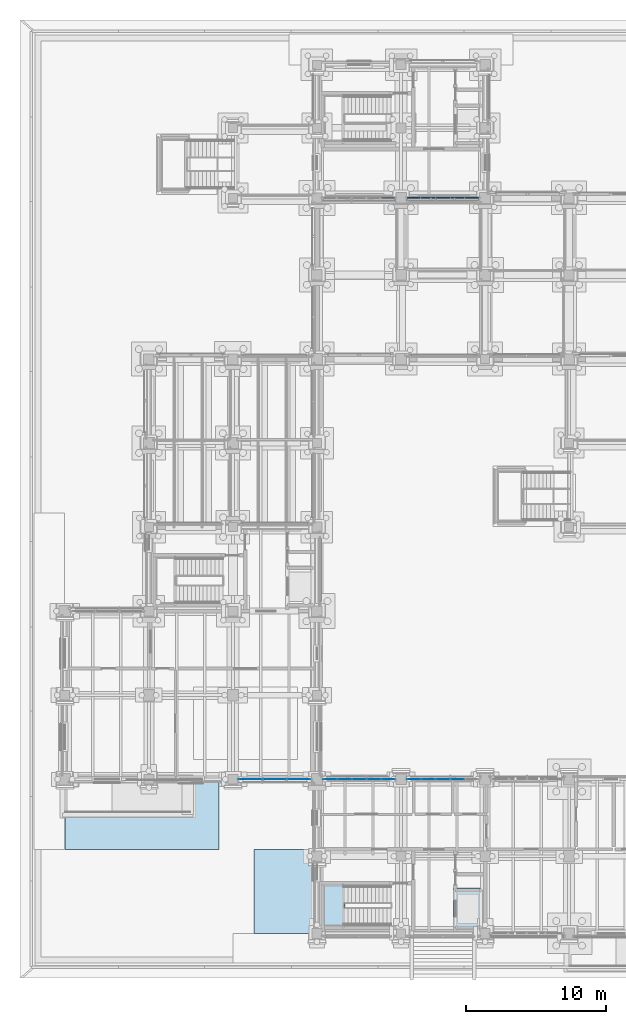
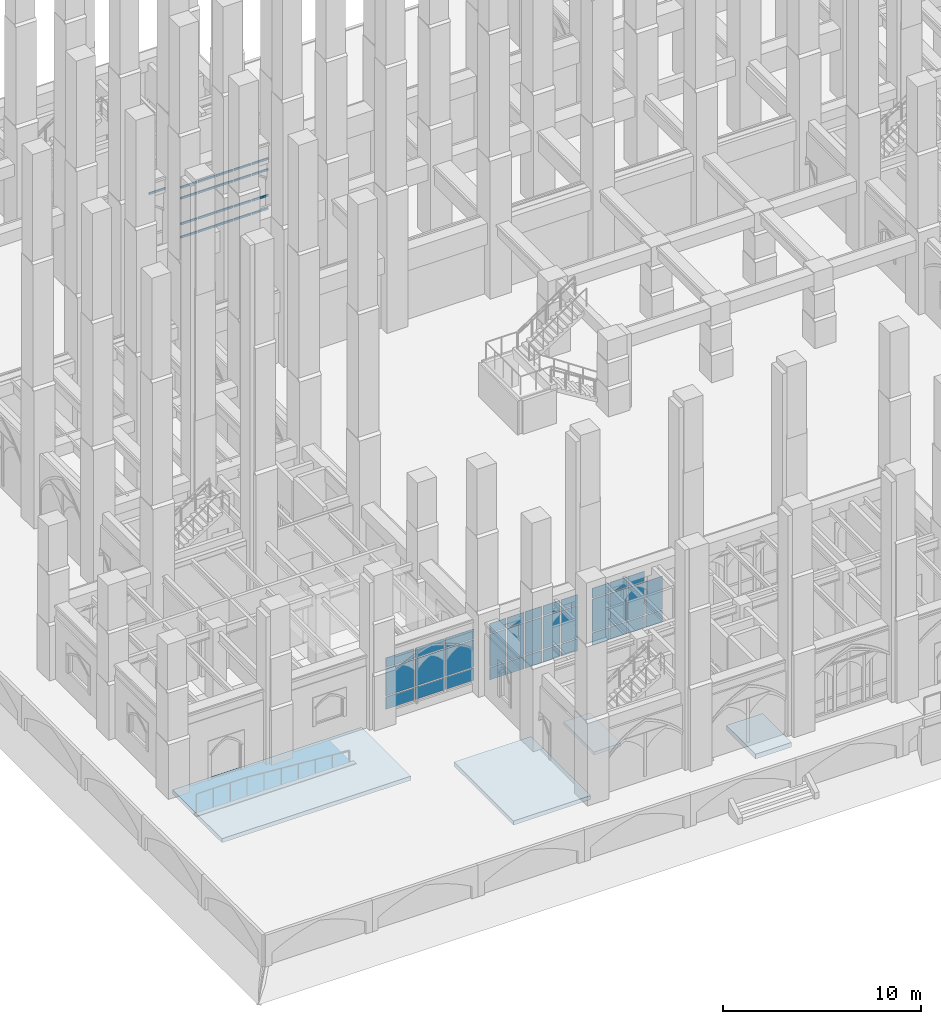
# One storey, part 50 of 135: 35 plates, 21 members, 4 slabs, 6 elements without a shape of their own.
"""IFC4 building model written with IfcOpenShell, lengths in metres."""

from ifc_helpers import new_model, si_unit, direction, frame, origin, origin_2d, place, context, subcontext, project, spatial, polyline, rectangle, hollow_rectangle, outline, extrude, material, layer, layer_set, material_profile, profile_set, type_object, element, aggregate, save


model = new_model("IFC4")

# Units and contexts
model_context = context("Model", 3, precision=1e-05, world=origin(), true_north=direction((0.0, 1.0)))
body_context = subcontext(model_context, "Body", "Model", "MODEL_VIEW")
ifc_project = project(units=[si_unit("LENGTHUNIT", "METRE"), si_unit("AREAUNIT", "SQUARE_METRE"), si_unit("VOLUMEUNIT", "CUBIC_METRE"), si_unit("PLANEANGLEUNIT", "RADIAN"), si_unit("MASSUNIT", "GRAM", prefix="KILO")], contexts=[model_context])

# Site, building, storey
site_placement = place(None, origin())
site = spatial("IfcSite", under=ifc_project, at=site_placement, CompositionType="ELEMENT")
building_placement = place(site_placement, origin())
building = spatial("IfcBuilding", under=site, at=building_placement, Name="Cumevento Cable Car Station", CompositionType="ELEMENT")
storey_placement = place(building_placement, origin())
storey = spatial("IfcBuildingStorey", under=building, at=storey_placement, Name="L01", CompositionType="ELEMENT", Elevation=0.0)

# Curtain wall, member
ifc_material_1 = material(Name="Anodised Bronze Aluminium AW-6063-T6", Category="aluminium")
ifc_layer_1 = layer(ifc_material_1, 0.159912109375)
ifc_layer_set_1 = layer_set([ifc_layer_1], Name="Anodised Bronze Aluminium AW-6063-T6")
curtain_wall_type_1 = type_object("IfcCurtainWallType", Name="Lancet Curtain Wall CW-01 1050", PredefinedType="NOTDEFINED", material=ifc_layer_set_1)
curtain_wall_1_placement = place(storey_placement, origin())
curtain_wall_1 = element("IfcCurtainWall", 1, at=curtain_wall_1_placement, inside=storey, type_object=curtain_wall_type_1, Name="Lancet Curtain Wall CW-01 L01 #16", PredefinedType="NOTDEFINED")
ifc_material_2 = material(Name="Anodised Bronze Aluminium AW-6063-T6", Category="aluminium")
ifc_material_profile = material_profile(ifc_material_2, hollow_rectangle(XDim=0.06494140625, YDim=0.1201171875, WallThickness=0.00390625, at=origin_2d()), Name="ALUT65x120x4")
ifc_profile_set = profile_set([ifc_material_profile], Name="Anodised Bronze Aluminium AW-6063-T6")
member_type = type_object("IfcMemberType", Name="Curtain Transom CWT-01 ALUT65x120x4", PredefinedType="USERDEFINED", material=ifc_profile_set)
member_1_placement = place(storey_placement, frame((27.56005859375, 56.5, 3.5673828125), z_axis=(-1.0, 0.0, 0.0), x_axis=(0.0, -1.0, 0.0)))
member_1 = element("IfcMember", 2, at=member_1_placement, type_object=member_type, Name="CW-01 transom 1.4", ObjectType="TRANSOM", PredefinedType="USERDEFINED", context=body_context, shape_type="SweptSolid", body=[
    extrude(hollow_rectangle(XDim=0.06494140625, YDim=0.1201171875, WallThickness=0.00390625, at=origin_2d()), origin(), (0.0, 0.0, 1.0), 0.95751953125),
])
aggregate(curtain_wall_1, [member_1])

# Curtain wall, members
ifc_material_3 = material(Name="Anodised Bronze Aluminium AW-6063-T6", Category="aluminium")
ifc_layer_2 = layer(ifc_material_3, 0.166015625)
ifc_layer_set_2 = layer_set([ifc_layer_2], Name="Anodised Bronze Aluminium AW-6063-T6")
curtain_wall_type_2 = type_object("IfcCurtainWallType", Name="Lancet Curtain Wall CW-02 1090", PredefinedType="NOTDEFINED", material=ifc_layer_set_2)
curtain_wall_2_placement = place(storey_placement, origin())
curtain_wall_2 = element("IfcCurtainWall", 3, at=curtain_wall_2_placement, inside=storey, type_object=curtain_wall_type_2, Name="Lancet Curtain Wall CW-02 L01 #17", PredefinedType="NOTDEFINED")
member_2_placement = place(storey_placement, frame((33.534912109375, 56.5, 0.242431640625), z_axis=(-1.0, 0.0, 0.0), x_axis=(0.0, -1.0, 0.0)))
member_2 = element("IfcMember", 4, at=member_2_placement, type_object=member_type, Name="CW-02 transom 1.1", ObjectType="TRANSOM", PredefinedType="USERDEFINED", context=body_context, shape_type="SweptSolid", body=[
    extrude(hollow_rectangle(XDim=0.06494140625, YDim=0.1201171875, WallThickness=0.00390625, at=origin_2d()), origin(), (0.0, 0.0, 1.0), 0.947509765625),
])
member_3_placement = place(storey_placement, frame((33.534912109375, 56.5, 1.06005859375), z_axis=(-1.0, 0.0, 0.0), x_axis=(0.0, -1.0, 0.0)))
member_3 = element("IfcMember", 5, at=member_3_placement, type_object=member_type, Name="CW-02 transom 1.2", ObjectType="TRANSOM", PredefinedType="USERDEFINED", context=body_context, shape_type="SweptSolid", body=[
    extrude(hollow_rectangle(XDim=0.06494140625, YDim=0.1201171875, WallThickness=0.00390625, at=origin_2d()), origin(), (0.0, 0.0, 1.0), 0.947509765625),
])
member_4_placement = place(storey_placement, frame((33.534912109375, 56.5, 2.637939453125), z_axis=(-1.0, 0.0, 0.0), x_axis=(0.0, -1.0, 0.0)))
member_4 = element("IfcMember", 6, at=member_4_placement, type_object=member_type, Name="CW-02 transom 1.3", ObjectType="TRANSOM", PredefinedType="USERDEFINED", context=body_context, shape_type="SweptSolid", body=[
    extrude(hollow_rectangle(XDim=0.06494140625, YDim=0.1201171875, WallThickness=0.00390625, at=origin_2d()), origin(), (0.0, 0.0, 1.0), 0.947509765625),
])
member_5_placement = place(storey_placement, frame((33.534912109375, 56.5, 3.305419921875), z_axis=(-1.0, 0.0, 0.0), x_axis=(0.0, -1.0, 0.0)))
member_5 = element("IfcMember", 7, at=member_5_placement, type_object=member_type, Name="CW-02 transom 1.4", ObjectType="TRANSOM", PredefinedType="USERDEFINED", context=body_context, shape_type="SweptSolid", body=[
    extrude(hollow_rectangle(XDim=0.06494140625, YDim=0.1201171875, WallThickness=0.00390625, at=origin_2d()), origin(), (0.0, 0.0, 1.0), 0.947509765625),
])
member_6_placement = place(storey_placement, frame((32.5224609375, 56.5, 0.242431640625), z_axis=(-1.0, 0.0, 0.0), x_axis=(0.0, -1.0, 0.0)))
member_6 = element("IfcMember", 8, at=member_6_placement, type_object=member_type, Name="CW-02 transom 2.1", ObjectType="TRANSOM", PredefinedType="USERDEFINED", context=body_context, shape_type="SweptSolid", body=[
    extrude(hollow_rectangle(XDim=0.06494140625, YDim=0.1201171875, WallThickness=0.00390625, at=origin_2d()), origin(), (0.0, 0.0, 1.0), 0.97998046875),
])
member_7_placement = place(storey_placement, frame((32.5224609375, 56.5, 1.06005859375), z_axis=(-1.0, 0.0, 0.0), x_axis=(0.0, -1.0, 0.0)))
member_7 = element("IfcMember", 9, at=member_7_placement, type_object=member_type, Name="CW-02 transom 2.2", ObjectType="TRANSOM", PredefinedType="USERDEFINED", context=body_context, shape_type="SweptSolid", body=[
    extrude(hollow_rectangle(XDim=0.06494140625, YDim=0.1201171875, WallThickness=0.00390625, at=origin_2d()), origin(), (0.0, 0.0, 1.0), 0.97998046875),
])
member_8_placement = place(storey_placement, frame((32.5224609375, 56.5, 2.637939453125), z_axis=(-1.0, 0.0, 0.0), x_axis=(0.0, -1.0, 0.0)))
member_8 = element("IfcMember", 10, at=member_8_placement, type_object=member_type, Name="CW-02 transom 2.3", ObjectType="TRANSOM", PredefinedType="USERDEFINED", context=body_context, shape_type="SweptSolid", body=[
    extrude(hollow_rectangle(XDim=0.06494140625, YDim=0.1201171875, WallThickness=0.00390625, at=origin_2d()), origin(), (0.0, 0.0, 1.0), 0.97998046875),
])
member_9_placement = place(storey_placement, frame((32.5224609375, 56.5, 3.305419921875), z_axis=(-1.0, 0.0, 0.0), x_axis=(0.0, -1.0, 0.0)))
member_9 = element("IfcMember", 11, at=member_9_placement, type_object=member_type, Name="CW-02 transom 2.4", ObjectType="TRANSOM", PredefinedType="USERDEFINED", context=body_context, shape_type="SweptSolid", body=[
    extrude(hollow_rectangle(XDim=0.06494140625, YDim=0.1201171875, WallThickness=0.00390625, at=origin_2d()), origin(), (0.0, 0.0, 1.0), 0.97998046875),
])
member_10_placement = place(storey_placement, frame((31.4775390625, 56.5, 0.242431640625), z_axis=(-1.0, 0.0, 0.0), x_axis=(0.0, -1.0, 0.0)))
member_10 = element("IfcMember", 12, at=member_10_placement, type_object=member_type, Name="CW-02 transom 3.1", ObjectType="TRANSOM", PredefinedType="USERDEFINED", context=body_context, shape_type="SweptSolid", body=[
    extrude(hollow_rectangle(XDim=0.06494140625, YDim=0.1201171875, WallThickness=0.00390625, at=origin_2d()), origin(), (0.0, 0.0, 1.0), 0.97998046875),
])
member_11_placement = place(storey_placement, frame((31.4775390625, 56.5, 1.06005859375), z_axis=(-1.0, 0.0, 0.0), x_axis=(0.0, -1.0, 0.0)))
member_11 = element("IfcMember", 13, at=member_11_placement, type_object=member_type, Name="CW-02 transom 3.2", ObjectType="TRANSOM", PredefinedType="USERDEFINED", context=body_context, shape_type="SweptSolid", body=[
    extrude(hollow_rectangle(XDim=0.06494140625, YDim=0.1201171875, WallThickness=0.00390625, at=origin_2d()), origin(), (0.0, 0.0, 1.0), 0.97998046875),
])
member_12_placement = place(storey_placement, frame((31.4775390625, 56.5, 2.637939453125), z_axis=(-1.0, 0.0, 0.0), x_axis=(0.0, -1.0, 0.0)))
member_12 = element("IfcMember", 14, at=member_12_placement, type_object=member_type, Name="CW-02 transom 3.3", ObjectType="TRANSOM", PredefinedType="USERDEFINED", context=body_context, shape_type="SweptSolid", body=[
    extrude(hollow_rectangle(XDim=0.06494140625, YDim=0.1201171875, WallThickness=0.00390625, at=origin_2d()), origin(), (0.0, 0.0, 1.0), 0.97998046875),
])
member_13_placement = place(storey_placement, frame((31.4775390625, 56.5, 3.305419921875), z_axis=(-1.0, 0.0, 0.0), x_axis=(0.0, -1.0, 0.0)))
member_13 = element("IfcMember", 15, at=member_13_placement, type_object=member_type, Name="CW-02 transom 3.4", ObjectType="TRANSOM", PredefinedType="USERDEFINED", context=body_context, shape_type="SweptSolid", body=[
    extrude(hollow_rectangle(XDim=0.06494140625, YDim=0.1201171875, WallThickness=0.00390625, at=origin_2d()), origin(), (0.0, 0.0, 1.0), 0.97998046875),
])
member_14_placement = place(storey_placement, frame((30.4326171875, 56.5, 0.242431640625), z_axis=(-1.0, 0.0, 0.0), x_axis=(0.0, -1.0, 0.0)))
member_14 = element("IfcMember", 16, at=member_14_placement, type_object=member_type, Name="CW-02 transom 4.1", ObjectType="TRANSOM", PredefinedType="USERDEFINED", context=body_context, shape_type="SweptSolid", body=[
    extrude(hollow_rectangle(XDim=0.06494140625, YDim=0.1201171875, WallThickness=0.00390625, at=origin_2d()), origin(), (0.0, 0.0, 1.0), 0.980224609375),
])
member_15_placement = place(storey_placement, frame((30.4326171875, 56.5, 1.06005859375), z_axis=(-1.0, 0.0, 0.0), x_axis=(0.0, -1.0, 0.0)))
member_15 = element("IfcMember", 17, at=member_15_placement, type_object=member_type, Name="CW-02 transom 4.2", ObjectType="TRANSOM", PredefinedType="USERDEFINED", context=body_context, shape_type="SweptSolid", body=[
    extrude(hollow_rectangle(XDim=0.06494140625, YDim=0.1201171875, WallThickness=0.00390625, at=origin_2d()), origin(), (0.0, 0.0, 1.0), 0.980224609375),
])
member_16_placement = place(storey_placement, frame((30.4326171875, 56.5, 2.637939453125), z_axis=(-1.0, 0.0, 0.0), x_axis=(0.0, -1.0, 0.0)))
member_16 = element("IfcMember", 18, at=member_16_placement, type_object=member_type, Name="CW-02 transom 4.3", ObjectType="TRANSOM", PredefinedType="USERDEFINED", context=body_context, shape_type="SweptSolid", body=[
    extrude(hollow_rectangle(XDim=0.06494140625, YDim=0.1201171875, WallThickness=0.00390625, at=origin_2d()), origin(), (0.0, 0.0, 1.0), 0.980224609375),
])
member_17_placement = place(storey_placement, frame((30.4326171875, 56.5, 3.305419921875), z_axis=(-1.0, 0.0, 0.0), x_axis=(0.0, -1.0, 0.0)))
member_17 = element("IfcMember", 19, at=member_17_placement, type_object=member_type, Name="CW-02 transom 4.4", ObjectType="TRANSOM", PredefinedType="USERDEFINED", context=body_context, shape_type="SweptSolid", body=[
    extrude(hollow_rectangle(XDim=0.06494140625, YDim=0.1201171875, WallThickness=0.00390625, at=origin_2d()), origin(), (0.0, 0.0, 1.0), 0.980224609375),
])
member_18_placement = place(storey_placement, frame((29.387451171875, 56.5, 0.242431640625), z_axis=(-1.0, 0.0, 0.0), x_axis=(0.0, -1.0, 0.0)))
member_18 = element("IfcMember", 20, at=member_18_placement, type_object=member_type, Name="CW-02 transom 5.1", ObjectType="TRANSOM", PredefinedType="USERDEFINED", context=body_context, shape_type="SweptSolid", body=[
    extrude(hollow_rectangle(XDim=0.06494140625, YDim=0.1201171875, WallThickness=0.00390625, at=origin_2d()), origin(), (0.0, 0.0, 1.0), 0.947509765625),
])
member_19_placement = place(storey_placement, frame((29.387451171875, 56.5, 1.06005859375), z_axis=(-1.0, 0.0, 0.0), x_axis=(0.0, -1.0, 0.0)))
member_19 = element("IfcMember", 21, at=member_19_placement, type_object=member_type, Name="CW-02 transom 5.2", ObjectType="TRANSOM", PredefinedType="USERDEFINED", context=body_context, shape_type="SweptSolid", body=[
    extrude(hollow_rectangle(XDim=0.06494140625, YDim=0.1201171875, WallThickness=0.00390625, at=origin_2d()), origin(), (0.0, 0.0, 1.0), 0.947509765625),
])
member_20_placement = place(storey_placement, frame((29.387451171875, 56.5, 2.637939453125), z_axis=(-1.0, 0.0, 0.0), x_axis=(0.0, -1.0, 0.0)))
member_20 = element("IfcMember", 22, at=member_20_placement, type_object=member_type, Name="CW-02 transom 5.3", ObjectType="TRANSOM", PredefinedType="USERDEFINED", context=body_context, shape_type="SweptSolid", body=[
    extrude(hollow_rectangle(XDim=0.06494140625, YDim=0.1201171875, WallThickness=0.00390625, at=origin_2d()), origin(), (0.0, 0.0, 1.0), 0.947509765625),
])
member_21_placement = place(storey_placement, frame((29.387451171875, 56.5, 3.305419921875), z_axis=(-1.0, 0.0, 0.0), x_axis=(0.0, -1.0, 0.0)))
member_21 = element("IfcMember", 23, at=member_21_placement, type_object=member_type, Name="CW-02 transom 5.4", ObjectType="TRANSOM", PredefinedType="USERDEFINED", context=body_context, shape_type="SweptSolid", body=[
    extrude(hollow_rectangle(XDim=0.06494140625, YDim=0.1201171875, WallThickness=0.00390625, at=origin_2d()), origin(), (0.0, 0.0, 1.0), 0.947509765625),
])
aggregate(curtain_wall_2, [member_2, member_3, member_4, member_5, member_6, member_7, member_8, member_9, member_10, member_11, member_12, member_13, member_14, member_15, member_16, member_17, member_18, member_19, member_20, member_21])

# Slabs
ifc_material_4 = material(Name="Concrete C40/50", Category="concrete")
ifc_layer_3 = layer(ifc_material_4, 0.2900390625)
ifc_layer_set_3 = layer_set([ifc_layer_3], Name="Concrete C40/50")
slab_type_1 = type_object("IfcSlabType", Name="Concrete Deck BS-290 290", PredefinedType="BASESLAB", material=ifc_layer_set_3)
slab_1_placement = place(storey_placement, frame((0.0, 0.0, -1.340087890625)))
element("IfcSlab", 24, at=slab_1_placement, inside=storey, type_object=slab_type_1, Name="Lift Pit Base Slab LF-02", PredefinedType="BASESLAB", context=body_context, shape_type="SweptSolid", body=[
    extrude(outline(polyline([(31.739990234375, 4.280029296875), (33.840087890625, 4.280029296875), (33.840087890625, 7.219970703125), (31.739990234375, 7.219970703125), (31.739990234375, 4.280029296875)])), origin(), (0.0, 0.0, 1.0), 0.2900390625),
])
ifc_material_5 = material(Name="Concrete C40/50", Category="concrete")
ifc_layer_4 = layer(ifc_material_5, 0.25)
ifc_layer_set_4 = layer_set([ifc_layer_4], Name="Concrete C40/50")
slab_type_2 = type_object("IfcSlabType", Name="Exterior Apron Slab AP-250", PredefinedType="BASESLAB", material=ifc_layer_set_4)
slab_2_placement = place(storey_placement, frame((0.0, 0.0, -0.25)))
element("IfcSlab", 25, at=slab_2_placement, inside=storey, type_object=slab_type_2, Name="Exterior Paved Apron apron_W_south #1", PredefinedType="BASESLAB", context=body_context, shape_type="SweptSolid", body=[
    extrude(outline(polyline([(4.0, 10.0), (4.0, 14.97998046875), (15.0, 14.97998046875), (15.0, 10.0), (4.0, 10.0)])), origin(), (0.0, 0.0, 1.0), 0.25),
])
slab_3_placement = place(storey_placement, frame((0.0, 0.0, -0.25)))
element("IfcSlab", 26, at=slab_3_placement, inside=storey, type_object=slab_type_2, Name="Exterior Paved Apron apron_C2_west #1", PredefinedType="BASESLAB", context=body_context, shape_type="SweptSolid", body=[
    extrude(outline(polyline([(17.5, 4.0), (17.5, 10.0), (21.989990234375, 10.0), (21.989990234375, 4.0), (17.5, 4.0)])), origin(), (0.0, 0.0, 1.0), 0.25),
])

# Curtain wall, plates
curtain_wall_3_placement = place(storey_placement, origin())
curtain_wall_3 = element("IfcCurtainWall", 27, at=curtain_wall_3_placement, inside=storey, type_object=curtain_wall_type_2, Name="Lancet Curtain Wall CW-02 L01 #1", PredefinedType="NOTDEFINED")
ifc_material_6 = material(Name="Solar Control Laminated Double Glazing", Category="glass")
ifc_layer_5 = layer(ifc_material_6, 0.02587890625)
ifc_layer_set_5 = layer_set([ifc_layer_5], Name="Solar Control Laminated Double Glazing")
plate_type_1 = type_object("IfcPlateType", Name="Glazed Panel CWP-02 26", PredefinedType="CURTAIN_PANEL", material=ifc_layer_set_5)
plate_1_placement = place(storey_placement, frame((22.938720703125, 15.0, 0.275146484375), z_axis=(0.0, 0.0, 1.0), x_axis=(1.0, 0.0, 0.0)))
plate_1 = element("IfcPlate", 28, at=plate_1_placement, type_object=plate_type_1, Name="CW-02 panel 1.1", PredefinedType="CURTAIN_PANEL", context=body_context, shape_type="SweptSolid", body=[
    extrude(rectangle(XDim=0.947509765625, YDim=0.02587890625, at=origin_2d()), origin(), (0.0, 0.0, 1.0), 0.75244140625),
])
plate_2_placement = place(storey_placement, frame((22.938720703125, 15.0, 1.092529296875), z_axis=(0.0, 0.0, 1.0), x_axis=(1.0, 0.0, 0.0)))
plate_2 = element("IfcPlate", 29, at=plate_2_placement, type_object=plate_type_1, Name="CW-02 panel 1.2", PredefinedType="CURTAIN_PANEL", context=body_context, shape_type="SweptSolid", body=[
    extrude(rectangle(XDim=0.947509765625, YDim=0.02587890625, at=origin_2d()), origin(), (0.0, 0.0, 1.0), 1.98388671875),
])
plate_3_placement = place(storey_placement, frame((22.938720703125, 15.0, 3.1416015625), z_axis=(0.0, 0.0, 1.0), x_axis=(1.0, 0.0, 0.0)))
plate_3 = element("IfcPlate", 30, at=plate_3_placement, type_object=plate_type_1, Name="CW-02 panel 1.3", PredefinedType="CURTAIN_PANEL", context=body_context, shape_type="SweptSolid", body=[
    extrude(rectangle(XDim=0.947509765625, YDim=0.02587890625, at=origin_2d()), origin(), (0.0, 0.0, 1.0), 0.6025390625),
])
plate_4_placement = place(storey_placement, frame((23.967529296875, 15.0, 0.275146484375), z_axis=(0.0, 0.0, 1.0), x_axis=(1.0, 0.0, 0.0)))
plate_4 = element("IfcPlate", 31, at=plate_4_placement, type_object=plate_type_1, Name="CW-02 panel 2.1", PredefinedType="CURTAIN_PANEL", context=body_context, shape_type="SweptSolid", body=[
    extrude(rectangle(XDim=0.97998046875, YDim=0.02587890625, at=origin_2d()), origin(), (0.0, 0.0, 1.0), 0.75244140625),
])
plate_5_placement = place(storey_placement, frame((23.967529296875, 15.0, 1.092529296875), z_axis=(0.0, 0.0, 1.0), x_axis=(1.0, 0.0, 0.0)))
plate_5 = element("IfcPlate", 32, at=plate_5_placement, type_object=plate_type_1, Name="CW-02 panel 2.2", PredefinedType="CURTAIN_PANEL", context=body_context, shape_type="SweptSolid", body=[
    extrude(rectangle(XDim=0.97998046875, YDim=0.02587890625, at=origin_2d()), origin(), (0.0, 0.0, 1.0), 1.98388671875),
])
plate_6_placement = place(storey_placement, frame((23.967529296875, 15.0, 3.1416015625), z_axis=(0.0, 0.0, 1.0), x_axis=(1.0, 0.0, 0.0)))
plate_6 = element("IfcPlate", 33, at=plate_6_placement, type_object=plate_type_1, Name="CW-02 panel 2.3", PredefinedType="CURTAIN_PANEL", context=body_context, shape_type="SweptSolid", body=[
    extrude(rectangle(XDim=0.97998046875, YDim=0.02587890625, at=origin_2d()), origin(), (0.0, 0.0, 1.0), 0.6025390625),
])
plate_7_placement = place(storey_placement, frame((25.012451171875, 15.0, 0.275146484375), z_axis=(0.0, 0.0, 1.0), x_axis=(1.0, 0.0, 0.0)))
plate_7 = element("IfcPlate", 34, at=plate_7_placement, type_object=plate_type_1, Name="CW-02 panel 3.1", PredefinedType="CURTAIN_PANEL", context=body_context, shape_type="SweptSolid", body=[
    extrude(rectangle(XDim=0.97998046875, YDim=0.02587890625, at=origin_2d()), origin(), (0.0, 0.0, 1.0), 0.75244140625),
])
plate_8_placement = place(storey_placement, frame((25.012451171875, 15.0, 1.092529296875), z_axis=(0.0, 0.0, 1.0), x_axis=(1.0, 0.0, 0.0)))
plate_8 = element("IfcPlate", 35, at=plate_8_placement, type_object=plate_type_1, Name="CW-02 panel 3.2", PredefinedType="CURTAIN_PANEL", context=body_context, shape_type="SweptSolid", body=[
    extrude(rectangle(XDim=0.97998046875, YDim=0.02587890625, at=origin_2d()), origin(), (0.0, 0.0, 1.0), 1.98388671875),
])
plate_9_placement = place(storey_placement, frame((25.012451171875, 15.0, 3.1416015625), z_axis=(0.0, 0.0, 1.0), x_axis=(1.0, 0.0, 0.0)))
plate_9 = element("IfcPlate", 36, at=plate_9_placement, type_object=plate_type_1, Name="CW-02 panel 3.3", PredefinedType="CURTAIN_PANEL", context=body_context, shape_type="SweptSolid", body=[
    extrude(rectangle(XDim=0.97998046875, YDim=0.02587890625, at=origin_2d()), origin(), (0.0, 0.0, 1.0), 0.6025390625),
])
plate_10_placement = place(storey_placement, frame((26.0576171875, 15.0, 0.275146484375), z_axis=(0.0, 0.0, 1.0), x_axis=(1.0, 0.0, 0.0)))
plate_10 = element("IfcPlate", 37, at=plate_10_placement, type_object=plate_type_1, Name="CW-02 panel 4.1", PredefinedType="CURTAIN_PANEL", context=body_context, shape_type="SweptSolid", body=[
    extrude(rectangle(XDim=0.97998046875, YDim=0.02587890625, at=origin_2d()), origin(), (0.0, 0.0, 1.0), 0.75244140625),
])
plate_11_placement = place(storey_placement, frame((26.0576171875, 15.0, 1.092529296875), z_axis=(0.0, 0.0, 1.0), x_axis=(1.0, 0.0, 0.0)))
plate_11 = element("IfcPlate", 38, at=plate_11_placement, type_object=plate_type_1, Name="CW-02 panel 4.2", PredefinedType="CURTAIN_PANEL", context=body_context, shape_type="SweptSolid", body=[
    extrude(rectangle(XDim=0.97998046875, YDim=0.02587890625, at=origin_2d()), origin(), (0.0, 0.0, 1.0), 1.98388671875),
])
plate_12_placement = place(storey_placement, frame((26.0576171875, 15.0, 3.1416015625), z_axis=(0.0, 0.0, 1.0), x_axis=(1.0, 0.0, 0.0)))
plate_12 = element("IfcPlate", 39, at=plate_12_placement, type_object=plate_type_1, Name="CW-02 panel 4.3", PredefinedType="CURTAIN_PANEL", context=body_context, shape_type="SweptSolid", body=[
    extrude(rectangle(XDim=0.97998046875, YDim=0.02587890625, at=origin_2d()), origin(), (0.0, 0.0, 1.0), 0.6025390625),
])
plate_13_placement = place(storey_placement, frame((27.086181640625, 15.0, 0.275146484375), z_axis=(0.0, 0.0, 1.0), x_axis=(1.0, 0.0, 0.0)))
plate_13 = element("IfcPlate", 40, at=plate_13_placement, type_object=plate_type_1, Name="CW-02 panel 5.1", PredefinedType="CURTAIN_PANEL", context=body_context, shape_type="SweptSolid", body=[
    extrude(rectangle(XDim=0.947509765625, YDim=0.02587890625, at=origin_2d()), origin(), (0.0, 0.0, 1.0), 0.75244140625),
])
plate_14_placement = place(storey_placement, frame((27.086181640625, 15.0, 1.092529296875), z_axis=(0.0, 0.0, 1.0), x_axis=(1.0, 0.0, 0.0)))
plate_14 = element("IfcPlate", 41, at=plate_14_placement, type_object=plate_type_1, Name="CW-02 panel 5.2", PredefinedType="CURTAIN_PANEL", context=body_context, shape_type="SweptSolid", body=[
    extrude(rectangle(XDim=0.947509765625, YDim=0.02587890625, at=origin_2d()), origin(), (0.0, 0.0, 1.0), 1.98388671875),
])
plate_15_placement = place(storey_placement, frame((27.086181640625, 15.0, 3.1416015625), z_axis=(0.0, 0.0, 1.0), x_axis=(1.0, 0.0, 0.0)))
plate_15 = element("IfcPlate", 42, at=plate_15_placement, type_object=plate_type_1, Name="CW-02 panel 5.3", PredefinedType="CURTAIN_PANEL", context=body_context, shape_type="SweptSolid", body=[
    extrude(rectangle(XDim=0.947509765625, YDim=0.02587890625, at=origin_2d()), origin(), (0.0, 0.0, 1.0), 0.6025390625),
])
aggregate(curtain_wall_3, [plate_1, plate_2, plate_3, plate_4, plate_5, plate_6, plate_7, plate_8, plate_9, plate_10, plate_11, plate_12, plate_13, plate_14, plate_15])

ifc_material_7 = material(Name="Anodised Bronze Aluminium AW-6063-T6", Category="aluminium")
ifc_layer_6 = layer(ifc_material_7, 0.25)
ifc_layer_set_6 = layer_set([ifc_layer_6], Name="Anodised Bronze Aluminium AW-6063-T6")
curtain_wall_type_3 = type_object("IfcCurtainWallType", Name="Lancet Curtain Wall CW-16 1650", PredefinedType="NOTDEFINED", material=ifc_layer_set_6)
curtain_wall_4_placement = place(storey_placement, origin())
curtain_wall_4 = element("IfcCurtainWall", 43, at=curtain_wall_4_placement, inside=storey, type_object=curtain_wall_type_3, Name="Lancet Curtain Wall CW-16 L01 #15", PredefinedType="NOTDEFINED")
plate_16_placement = place(storey_placement, frame((20.708740234375, 15.0, 0.5849609375), z_axis=(0.0, 0.0, 1.0), x_axis=(-1.0, 0.0, 0.0)))
plate_16 = element("IfcPlate", 44, at=plate_16_placement, type_object=plate_type_1, Name="CW-16 panel 1.1", PredefinedType="CURTAIN_PANEL", context=body_context, shape_type="SweptSolid", body=[
    extrude(rectangle(XDim=1.652587890625, YDim=0.02587890625, at=origin_2d()), origin(), (0.0, 0.0, 1.0), 0.75244140625),
])
plate_17_placement = place(storey_placement, frame((20.708740234375, 15.0, 1.40234375), z_axis=(0.0, 0.0, 1.0), x_axis=(-1.0, 0.0, 0.0)))
plate_17 = element("IfcPlate", 45, at=plate_17_placement, type_object=plate_type_1, Name="CW-16 panel 1.2", PredefinedType="CURTAIN_PANEL", context=body_context, shape_type="SweptSolid", body=[
    extrude(rectangle(XDim=1.652587890625, YDim=0.02587890625, at=origin_2d()), origin(), (0.0, 0.0, 1.0), 1.674072265625),
])
plate_18_placement = place(storey_placement, frame((20.708740234375, 15.0, 3.1416015625), z_axis=(0.0, 0.0, 1.0), x_axis=(-1.0, 0.0, 0.0)))
plate_18 = element("IfcPlate", 46, at=plate_18_placement, type_object=plate_type_1, Name="CW-16 panel 1.3", PredefinedType="CURTAIN_PANEL", context=body_context, shape_type="SweptSolid", body=[
    extrude(rectangle(XDim=1.652587890625, YDim=0.02587890625, at=origin_2d()), origin(), (0.0, 0.0, 1.0), 0.6025390625),
])
plate_19_placement = place(storey_placement, frame((18.97509765625, 15.0, 0.5849609375), z_axis=(0.0, 0.0, 1.0), x_axis=(-1.0, 0.0, 0.0)))
plate_19 = element("IfcPlate", 47, at=plate_19_placement, type_object=plate_type_1, Name="CW-16 panel 2.1", PredefinedType="CURTAIN_PANEL", context=body_context, shape_type="SweptSolid", body=[
    extrude(rectangle(XDim=1.68505859375, YDim=0.02587890625, at=origin_2d()), origin(), (0.0, 0.0, 1.0), 0.75244140625),
])
plate_20_placement = place(storey_placement, frame((18.97509765625, 15.0, 1.40234375), z_axis=(0.0, 0.0, 1.0), x_axis=(-1.0, 0.0, 0.0)))
plate_20 = element("IfcPlate", 48, at=plate_20_placement, type_object=plate_type_1, Name="CW-16 panel 2.2", PredefinedType="CURTAIN_PANEL", context=body_context, shape_type="SweptSolid", body=[
    extrude(rectangle(XDim=1.68505859375, YDim=0.02587890625, at=origin_2d()), origin(), (0.0, 0.0, 1.0), 1.674072265625),
])
plate_21_placement = place(storey_placement, frame((18.97509765625, 15.0, 3.1416015625), z_axis=(0.0, 0.0, 1.0), x_axis=(-1.0, 0.0, 0.0)))
plate_21 = element("IfcPlate", 49, at=plate_21_placement, type_object=plate_type_1, Name="CW-16 panel 2.3", PredefinedType="CURTAIN_PANEL", context=body_context, shape_type="SweptSolid", body=[
    extrude(rectangle(XDim=1.68505859375, YDim=0.02587890625, at=origin_2d()), origin(), (0.0, 0.0, 1.0), 0.6025390625),
])
plate_22_placement = place(storey_placement, frame((17.2412109375, 15.0, 0.5849609375), z_axis=(0.0, 0.0, 1.0), x_axis=(-1.0, 0.0, 0.0)))
plate_22 = element("IfcPlate", 50, at=plate_22_placement, type_object=plate_type_1, Name="CW-16 panel 3.1", PredefinedType="CURTAIN_PANEL", context=body_context, shape_type="SweptSolid", body=[
    extrude(rectangle(XDim=1.652587890625, YDim=0.02587890625, at=origin_2d()), origin(), (0.0, 0.0, 1.0), 0.75244140625),
])
plate_23_placement = place(storey_placement, frame((17.2412109375, 15.0, 1.40234375), z_axis=(0.0, 0.0, 1.0), x_axis=(-1.0, 0.0, 0.0)))
plate_23 = element("IfcPlate", 51, at=plate_23_placement, type_object=plate_type_1, Name="CW-16 panel 3.2", PredefinedType="CURTAIN_PANEL", context=body_context, shape_type="SweptSolid", body=[
    extrude(rectangle(XDim=1.652587890625, YDim=0.02587890625, at=origin_2d()), origin(), (0.0, 0.0, 1.0), 1.674072265625),
])
plate_24_placement = place(storey_placement, frame((17.2412109375, 15.0, 3.1416015625), z_axis=(0.0, 0.0, 1.0), x_axis=(-1.0, 0.0, 0.0)))
plate_24 = element("IfcPlate", 52, at=plate_24_placement, type_object=plate_type_1, Name="CW-16 panel 3.3", PredefinedType="CURTAIN_PANEL", context=body_context, shape_type="SweptSolid", body=[
    extrude(rectangle(XDim=1.652587890625, YDim=0.02587890625, at=origin_2d()), origin(), (0.0, 0.0, 1.0), 0.6025390625),
])
aggregate(curtain_wall_4, [plate_16, plate_17, plate_18, plate_19, plate_20, plate_21, plate_22, plate_23, plate_24])

ifc_material_8 = material(Name="Anodised Bronze Aluminium AW-6063-T6", Category="aluminium")
ifc_layer_7 = layer(ifc_material_8, 0.172119140625)
ifc_layer_set_7 = layer_set([ifc_layer_7], Name="Anodised Bronze Aluminium AW-6063-T6")
curtain_wall_type_4 = type_object("IfcCurtainWallType", Name="Lancet Curtain Wall CW-03 1130", PredefinedType="NOTDEFINED", material=ifc_layer_set_7)
curtain_wall_5_placement = place(storey_placement, origin())
curtain_wall_5 = element("IfcCurtainWall", 53, at=curtain_wall_5_placement, inside=storey, type_object=curtain_wall_type_4, Name="Lancet Curtain Wall CW-03 L01 #2", PredefinedType="NOTDEFINED")
ifc_material_9 = material(Name="Solar Control Laminated Double Glazing", Category="glass")
ifc_layer_8 = layer(ifc_material_9, 0.030029296875)
ifc_layer_set_8 = layer_set([ifc_layer_8], Name="Solar Control Laminated Double Glazing")
plate_type_2 = type_object("IfcPlateType", Name="Glazed Panel CWP-03 30", PredefinedType="CURTAIN_PANEL", material=ifc_layer_set_8)
plate_25_placement = place(storey_placement, frame((28.913818359375, 15.0, 0.324951171875), z_axis=(0.0, 0.0, 1.0), x_axis=(1.0, 0.0, 0.0)))
plate_25 = element("IfcPlate", 54, at=plate_25_placement, type_object=plate_type_2, Name="CW-03 panel 1.1", PredefinedType="CURTAIN_PANEL", context=body_context, shape_type="SweptSolid", body=[
    extrude(rectangle(XDim=0.947509765625, YDim=0.030029296875, at=origin_2d()), origin(), (0.0, 0.0, 1.0), 0.75244140625),
])
plate_26_placement = place(storey_placement, frame((28.913818359375, 15.0, 1.142578125), z_axis=(0.0, 0.0, 1.0), x_axis=(1.0, 0.0, 0.0)))
plate_26 = element("IfcPlate", 55, at=plate_26_placement, type_object=plate_type_2, Name="CW-03 panel 1.2", PredefinedType="CURTAIN_PANEL", context=body_context, shape_type="SweptSolid", body=[
    extrude(rectangle(XDim=0.947509765625, YDim=0.030029296875, at=origin_2d()), origin(), (0.0, 0.0, 1.0), 2.006103515625),
])
plate_27_placement = place(storey_placement, frame((28.913818359375, 15.0, 3.21337890625), z_axis=(0.0, 0.0, 1.0), x_axis=(1.0, 0.0, 0.0)))
plate_27 = element("IfcPlate", 56, at=plate_27_placement, type_object=plate_type_2, Name="CW-03 panel 1.3", PredefinedType="CURTAIN_PANEL", context=body_context, shape_type="SweptSolid", body=[
    extrude(rectangle(XDim=0.947509765625, YDim=0.030029296875, at=origin_2d()), origin(), (0.0, 0.0, 1.0), 0.6025390625),
])
plate_28_placement = place(storey_placement, frame((29.9423828125, 15.0, 0.324951171875), z_axis=(0.0, 0.0, 1.0), x_axis=(1.0, 0.0, 0.0)))
plate_28 = element("IfcPlate", 57, at=plate_28_placement, type_object=plate_type_2, Name="CW-03 panel 2.1", PredefinedType="CURTAIN_PANEL", context=body_context, shape_type="SweptSolid", body=[
    extrude(rectangle(XDim=0.97998046875, YDim=0.030029296875, at=origin_2d()), origin(), (0.0, 0.0, 1.0), 0.75244140625),
])
plate_29_placement = place(storey_placement, frame((29.9423828125, 15.0, 1.142578125), z_axis=(0.0, 0.0, 1.0), x_axis=(1.0, 0.0, 0.0)))
plate_29 = element("IfcPlate", 58, at=plate_29_placement, type_object=plate_type_2, Name="CW-03 panel 2.2", PredefinedType="CURTAIN_PANEL", context=body_context, shape_type="SweptSolid", body=[
    extrude(rectangle(XDim=0.97998046875, YDim=0.030029296875, at=origin_2d()), origin(), (0.0, 0.0, 1.0), 2.006103515625),
])
plate_30_placement = place(storey_placement, frame((29.9423828125, 15.0, 3.21337890625), z_axis=(0.0, 0.0, 1.0), x_axis=(1.0, 0.0, 0.0)))
plate_30 = element("IfcPlate", 59, at=plate_30_placement, type_object=plate_type_2, Name="CW-03 panel 2.3", PredefinedType="CURTAIN_PANEL", context=body_context, shape_type="SweptSolid", body=[
    extrude(rectangle(XDim=0.97998046875, YDim=0.030029296875, at=origin_2d()), origin(), (0.0, 0.0, 1.0), 0.6025390625),
])
plate_31_placement = place(storey_placement, frame((30.987548828125, 15.0, 0.324951171875), z_axis=(0.0, 0.0, 1.0), x_axis=(1.0, 0.0, 0.0)))
plate_31 = element("IfcPlate", 60, at=plate_31_placement, type_object=plate_type_2, Name="CW-03 panel 3.1", PredefinedType="CURTAIN_PANEL", context=body_context, shape_type="SweptSolid", body=[
    extrude(rectangle(XDim=0.97998046875, YDim=0.030029296875, at=origin_2d()), origin(), (0.0, 0.0, 1.0), 0.75244140625),
])
plate_32_placement = place(storey_placement, frame((30.987548828125, 15.0, 1.142578125), z_axis=(0.0, 0.0, 1.0), x_axis=(1.0, 0.0, 0.0)))
plate_32 = element("IfcPlate", 61, at=plate_32_placement, type_object=plate_type_2, Name="CW-03 panel 3.2", PredefinedType="CURTAIN_PANEL", context=body_context, shape_type="SweptSolid", body=[
    extrude(rectangle(XDim=0.97998046875, YDim=0.030029296875, at=origin_2d()), origin(), (0.0, 0.0, 1.0), 2.006103515625),
])
plate_33_placement = place(storey_placement, frame((30.987548828125, 15.0, 3.21337890625), z_axis=(0.0, 0.0, 1.0), x_axis=(1.0, 0.0, 0.0)))
plate_33 = element("IfcPlate", 62, at=plate_33_placement, type_object=plate_type_2, Name="CW-03 panel 3.3", PredefinedType="CURTAIN_PANEL", context=body_context, shape_type="SweptSolid", body=[
    extrude(rectangle(XDim=0.97998046875, YDim=0.030029296875, at=origin_2d()), origin(), (0.0, 0.0, 1.0), 0.6025390625),
])
plate_34_placement = place(storey_placement, frame((32.032470703125, 15.0, 0.324951171875), z_axis=(0.0, 0.0, 1.0), x_axis=(1.0, 0.0, 0.0)))
plate_34 = element("IfcPlate", 63, at=plate_34_placement, type_object=plate_type_2, Name="CW-03 panel 4.1", PredefinedType="CURTAIN_PANEL", context=body_context, shape_type="SweptSolid", body=[
    extrude(rectangle(XDim=0.97998046875, YDim=0.030029296875, at=origin_2d()), origin(), (0.0, 0.0, 1.0), 0.75244140625),
])
plate_35_placement = place(storey_placement, frame((32.032470703125, 15.0, 1.142578125), z_axis=(0.0, 0.0, 1.0), x_axis=(1.0, 0.0, 0.0)))
plate_35 = element("IfcPlate", 64, at=plate_35_placement, type_object=plate_type_2, Name="CW-03 panel 4.2", PredefinedType="CURTAIN_PANEL", context=body_context, shape_type="SweptSolid", body=[
    extrude(rectangle(XDim=0.97998046875, YDim=0.030029296875, at=origin_2d()), origin(), (0.0, 0.0, 1.0), 2.006103515625),
])
aggregate(curtain_wall_5, [plate_25, plate_26, plate_27, plate_28, plate_29, plate_30, plate_31, plate_32, plate_33, plate_34, plate_35])

# Stair, slab
ifc_material_10 = material(Name="Concrete C40/50", Category="concrete")
stair_type = type_object("IfcStairType", Name="Half-Turn Stair ST-T02 1290", PredefinedType="HALF_TURN_STAIR", material=ifc_material_10)
stair_placement = place(storey_placement, origin())
stair = element("IfcStair", 65, at=stair_placement, inside=storey, type_object=stair_type, Name="Enclosed Exit Stair ST-02 (L01 to L02)", PredefinedType="HALF_TURN_STAIR")
ifc_material_11 = material(Name="Concrete C40/50", Category="concrete")
ifc_layer_9 = layer(ifc_material_11, 0.19091796875)
ifc_layer_set_9 = layer_set([ifc_layer_9], Name="Concrete C40/50")
slab_type_3 = type_object("IfcSlabType", Name="Stair Landing STL-T02 191", PredefinedType="LANDING", material=ifc_layer_set_9)
slab_4_placement = place(storey_placement, frame((0.0, 0.0, 2.05908203125)))
slab_4 = element("IfcSlab", 66, at=slab_4_placement, type_object=slab_type_3, Name="ST-02-L01 Half-Landing", PredefinedType="LANDING", context=body_context, shape_type="SweptSolid", body=[
    extrude(outline(polyline([(22.43994140625, 4.43994140625), (24.0, 4.43994140625), (24.0, 7.530029296875), (22.43994140625, 7.530029296875), (22.43994140625, 4.43994140625)])), origin(), (0.0, 0.0, 1.0), 0.19091796875),
])
aggregate(stair, [slab_4])

save(model, "model.ifc")
